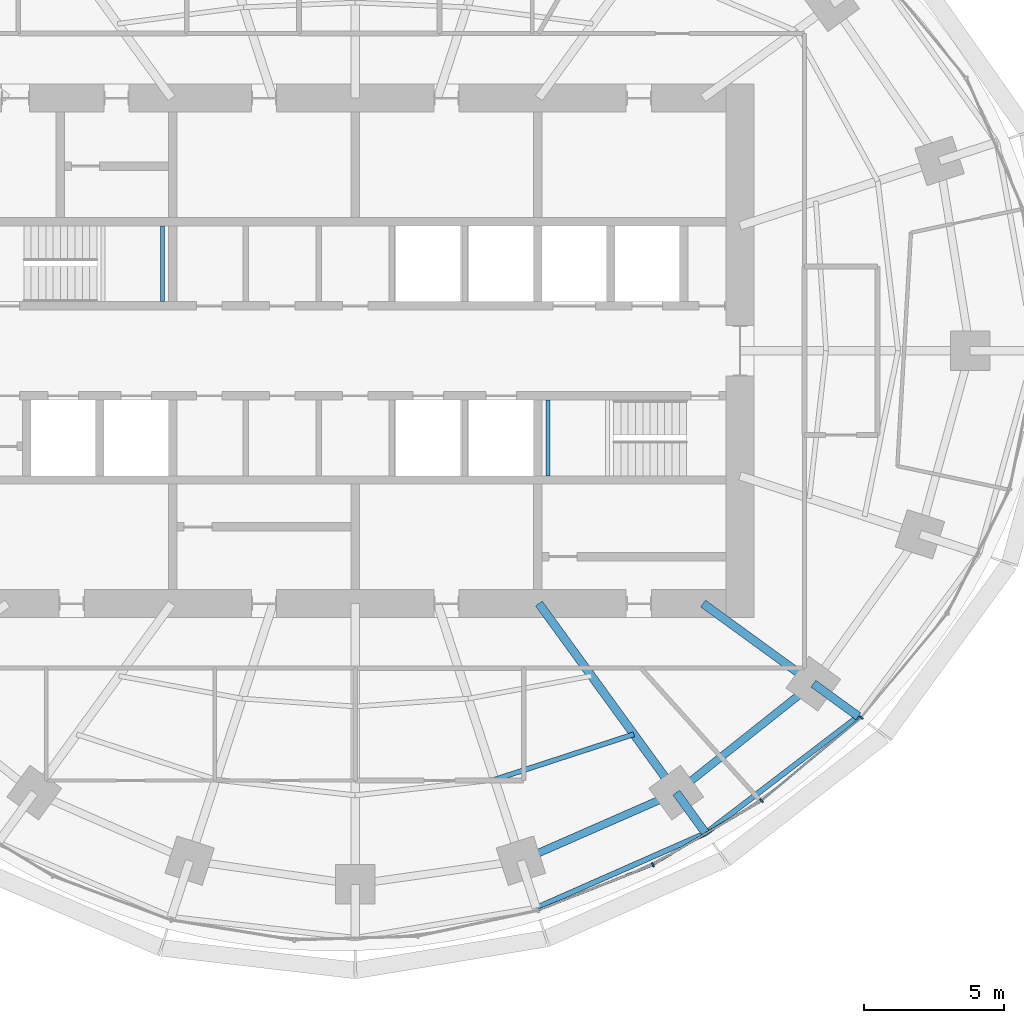
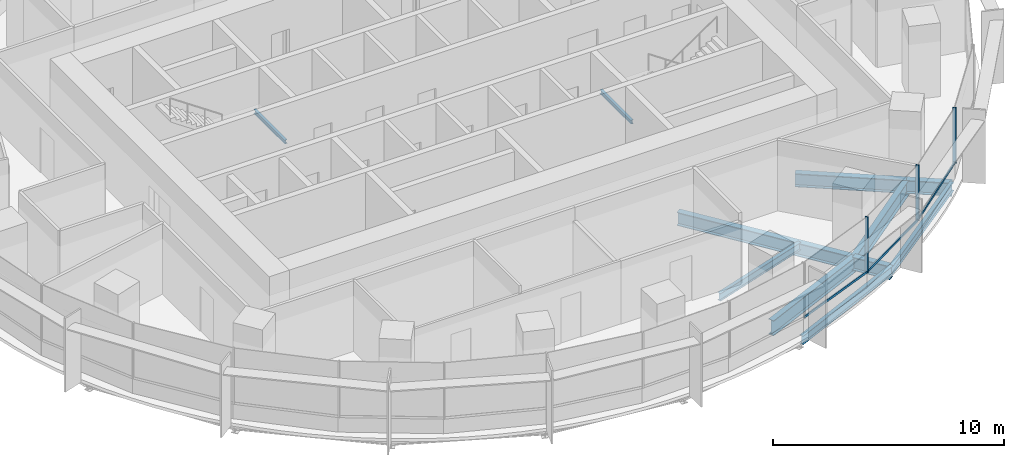
# One storey, part 5 of 14: 11 beams, 6 members, 2 elements without a shape of their own.
"""IFC4 building model written with IfcOpenShell, lengths in metres."""

from ifc_helpers import new_model, si_unit, direction, frame, origin, origin_2d, place, context, subcontext, project, spatial, rectangle, i_section, extrude, material, material_profile, profile_set, type_object, element, aggregate, save


model = new_model("IFC4")

# Units and contexts
model_context = context("Model", 3, precision=1e-05, world=origin(), true_north=direction((0.0, 1.0)))
body_context = subcontext(model_context, "Body", "Model", "MODEL_VIEW")
ifc_project = project(units=[si_unit("LENGTHUNIT", "METRE"), si_unit("AREAUNIT", "SQUARE_METRE"), si_unit("VOLUMEUNIT", "CUBIC_METRE"), si_unit("PLANEANGLEUNIT", "RADIAN"), si_unit("MASSUNIT", "GRAM", prefix="KILO")], contexts=[model_context])

# Site, building, storey
site_placement = place(None, origin())
site = spatial("IfcSite", under=ifc_project, at=site_placement, CompositionType="ELEMENT")
building_placement = place(site_placement, origin())
building = spatial("IfcBuilding", under=site, at=building_placement, Name="Marramba Exchange Tower", CompositionType="ELEMENT")
storey_placement = place(building_placement, frame((0.0, 0.0, 195.5)))
storey = spatial("IfcBuildingStorey", under=building, at=storey_placement, Name="L47", CompositionType="ELEMENT", Elevation=195.5)

# Beams
ifc_material_1 = material(Name="Steel AS/NZS 3679.2 grade 300", Category="steel")
ifc_material_profile_1 = material_profile(ifc_material_1, i_section(OverallWidth=0.300048828125, OverallDepth=0.699951171875, WebThickness=0.010009765625, FlangeThickness=0.031982421875, at=origin_2d()), Name="700WB173")
ifc_profile_set_1 = profile_set([ifc_material_profile_1], Name="Steel AS/NZS 3679.2 grade 300")
beam_type_1 = type_object("IfcBeamType", Name="Cantilever girder 700WB173", PredefinedType="BEAM", material=ifc_profile_set_1)
beam_1_placement = place(storey_placement, frame((11.430419921875, -15.732666015625, -0.510009765625), z_axis=(0.58783009415, -0.808984412959, 0.0), x_axis=(0.808984412959, 0.58783009415, 0.0)))
element("IfcBeam", 1, at=beam_1_placement, inside=storey, type_object=beam_type_1, Name="Cantilever girder L47 TC18", PredefinedType="BEAM", context=body_context, shape_type="SweptSolid", body=[
    extrude(i_section(OverallWidth=0.300048828125, OverallDepth=0.699951171875, WebThickness=0.010009765625, FlangeThickness=0.031982421875, at=origin_2d()), origin(), (0.0, 0.0, 1.0), 1.78515625),
])
beam_2_placement = place(storey_placement, frame((16.3154296875, -11.853759765625, -0.510009765625), z_axis=(0.808970801893, -0.587848825537, 0.0), x_axis=(0.587848825537, 0.808970801893, 0.0)))
element("IfcBeam", 2, at=beam_2_placement, inside=storey, type_object=beam_type_1, Name="Cantilever girder L47 TC19", PredefinedType="BEAM", context=body_context, shape_type="SweptSolid", body=[
    extrude(i_section(OverallWidth=0.300048828125, OverallDepth=0.699951171875, WebThickness=0.010009765625, FlangeThickness=0.031982421875, at=origin_2d()), origin(), (0.0, 0.0, 1.0), 1.978515625),
])
ifc_material_2 = material(Name="Steel AS/NZS 3679.1 grade 300", Category="steel")
ifc_material_profile_2 = material_profile(ifc_material_2, i_section(OverallWidth=0.177978515625, OverallDepth=0.406005859375, WebThickness=0.0078125, FlangeThickness=0.0126953125, FilletRadius=0.011474609375, at=origin_2d()), Name="410UB59.7")
ifc_profile_set_2 = profile_set([ifc_material_profile_2], Name="Steel AS/NZS 3679.1 grade 300")
beam_type_2 = type_object("IfcBeamType", Name="Floor joist 410UB59.7", PredefinedType="JOIST", material=ifc_profile_set_2)
beam_3_placement = place(storey_placement, frame((4.9619140625, -15.271484375, -0.363037109375), z_axis=(0.950764024931, 0.309915744834, 0.0), x_axis=(-0.309915744834, 0.950764024931, 0.0)))
element("IfcBeam", 3, at=beam_3_placement, inside=storey, type_object=beam_type_2, Name="Joist L47 bay 17 row 2", PredefinedType="JOIST", context=body_context, shape_type="SweptSolid", body=[
    extrude(i_section(OverallWidth=0.177978515625, OverallDepth=0.406005859375, WebThickness=0.0078125, FlangeThickness=0.0126953125, FilletRadius=0.011474609375, at=origin_2d()), origin(), (0.0, 0.0, 1.0), 5.2158203125),
])

# Curtain wall, members
ifc_material_3 = material(Name="Aluminium framing, bronze anodised", Category="aluminium")
curtain_wall_type = type_object("IfcCurtainWallType", Name="Office ribbon curtain wall", PredefinedType="USERDEFINED", material=ifc_material_3)
curtain_wall_1_placement = place(storey_placement, origin())
curtain_wall_1 = element("IfcCurtainWall", 4, at=curtain_wall_1_placement, inside=storey, type_object=curtain_wall_type, Name="Curtain wall CW4 L47 F26-F30", ObjectType="RIBBON CURTAIN WALL", PredefinedType="USERDEFINED")
ifc_material_4 = material(Name="Aluminium mullion, bronze anodised", Category="aluminium")
ifc_material_profile_3 = material_profile(ifc_material_4, rectangle(XDim=0.159912109375, YDim=0.06005859375, at=origin_2d()), Name="CW4 mullion 60x160")
ifc_profile_set_3 = profile_set([ifc_material_profile_3], Name="Aluminium mullion, bronze anodised")
member_type_1 = type_object("IfcMemberType", Name="Office ribbon curtain wall mullion", PredefinedType="MULLION", material=ifc_profile_set_3)
member_1_placement = place(storey_placement, frame((10.60009765625, -18.2998046875, 0.800048828125), z_axis=(0.0, 0.0, 1.0), x_axis=(-0.508010571686, 0.861350833897, 0.0)))
member_1 = element("IfcMember", 5, at=member_1_placement, type_object=member_type_1, Name="CW4 mullion 1", PredefinedType="MULLION", context=body_context, shape_type="SweptSolid", body=[
    extrude(rectangle(XDim=0.159912109375, YDim=0.06005859375, at=origin_2d()), origin(), (0.0, 0.0, 1.0), 2.93994140625),
])
member_2_placement = place(storey_placement, frame((14.461669921875, -16.0166015625, 0.800048828125), z_axis=(0.0, 0.0, 1.0), x_axis=(-0.639565270127, 0.768736798421, 0.0)))
member_2 = element("IfcMember", 6, at=member_2_placement, type_object=member_type_1, Name="CW4 mullion 1", PredefinedType="MULLION", context=body_context, shape_type="SweptSolid", body=[
    extrude(rectangle(XDim=0.159912109375, YDim=0.06005859375, at=origin_2d()), origin(), (0.0, 0.0, 1.0), 2.93994140625),
])
member_3_placement = place(storey_placement, frame((18.01611328125, -13.052490234375, 0.800048828125), z_axis=(0.0, 0.0, 1.0), x_axis=(-0.769912069289, 0.63814998673, 0.0)))
member_3 = element("IfcMember", 7, at=member_3_placement, type_object=member_type_1, Name="CW4 mullion 1", PredefinedType="MULLION", context=body_context, shape_type="SweptSolid", body=[
    extrude(rectangle(XDim=0.159912109375, YDim=0.06005859375, at=origin_2d()), origin(), (0.0, 0.0, 1.0), 2.93994140625),
])

# Curtain wall, member
curtain_wall_2_placement = place(storey_placement, origin())
curtain_wall_2 = element("IfcCurtainWall", 8, at=curtain_wall_2_placement, inside=storey, type_object=curtain_wall_type, Name="Curtain wall CW4 L47 F21-F25", ObjectType="RIBBON CURTAIN WALL", PredefinedType="USERDEFINED")
ifc_material_5 = material(Name="Aluminium transom, bronze anodised", Category="aluminium")
ifc_material_profile_4 = material_profile(ifc_material_5, rectangle(XDim=0.06005859375, YDim=0.1201171875, at=origin_2d()), Name="CW4 transom 60x120")
ifc_profile_set_4 = profile_set([ifc_material_profile_4], Name="Aluminium transom, bronze anodised")
member_type_2 = type_object("IfcMemberType", Name="Office ribbon curtain wall transom", PredefinedType="USERDEFINED", material=ifc_profile_set_4)
member_4_placement = place(storey_placement, frame((6.53271484375, -19.911376953125, 0.830078125), z_axis=(0.930068344217, 0.367386547229, 0.0), x_axis=(-0.367386547229, 0.930068344217, 0.0)))
member_4 = element("IfcMember", 9, at=member_4_placement, type_object=member_type_2, Name="CW4 sill transom", ObjectType="TRANSOM", PredefinedType="USERDEFINED", context=body_context, shape_type="SweptSolid", body=[
    extrude(rectangle(XDim=0.06005859375, YDim=0.1201171875, at=origin_2d()), origin(), (0.0, 0.0, 1.0), 4.345458984375),
])
aggregate(curtain_wall_2, [member_4])

# Member
member_5_placement = place(storey_placement, frame((10.6259765625, -18.28466796875, 0.830078125), z_axis=(0.861342387959, 0.508024891816, 0.0), x_axis=(-0.508024891816, 0.861342387959, 0.0)))
member_5 = element("IfcMember", 10, at=member_5_placement, type_object=member_type_2, Name="CW4 sill transom", ObjectType="TRANSOM", PredefinedType="USERDEFINED", context=body_context, shape_type="SweptSolid", body=[
    extrude(rectangle(XDim=0.06005859375, YDim=0.1201171875, at=origin_2d()), origin(), (0.0, 0.0, 1.0), 4.426513671875),
])

member_6_placement = place(storey_placement, frame((14.48486328125, -15.99755859375, 0.830078125), z_axis=(0.768707257272, 0.639600775967, 0.0), x_axis=(-0.639600775967, 0.768707257272, 0.0)))
member_6 = element("IfcMember", 11, at=member_6_placement, type_object=member_type_2, Name="CW4 sill transom", ObjectType="TRANSOM", PredefinedType="USERDEFINED", context=body_context, shape_type="SweptSolid", body=[
    extrude(rectangle(XDim=0.06005859375, YDim=0.1201171875, at=origin_2d()), origin(), (0.0, 0.0, 1.0), 4.568603515625),
])

aggregate(curtain_wall_1, [member_1, member_5, member_2, member_6, member_3])

# Beams
ifc_material_profile_5 = material_profile(ifc_material_1, i_section(OverallWidth=0.300048828125, OverallDepth=0.699951171875, WebThickness=0.010009765625, FlangeThickness=0.031982421875, at=origin_2d()), Name="700WB173")
ifc_profile_set_5 = profile_set([ifc_material_profile_5], Name="Steel AS/NZS 3679.2 grade 300")
beam_type_3 = type_object("IfcBeamType", Name="Radial girder 700WB173", PredefinedType="BEAM", material=ifc_profile_set_5)
beam_4_placement = place(storey_placement, frame((6.538818359375, -9.0, -0.510009765625), z_axis=(0.587787877172, -0.809015087282, 0.0), x_axis=(0.809015087282, 0.587787877172, 0.0)))
element("IfcBeam", 12, at=beam_4_placement, inside=storey, type_object=beam_type_3, Name="Radial girder L47 TC18", PredefinedType="BEAM", context=body_context, shape_type="SweptSolid", body=[
    extrude(i_section(OverallWidth=0.300048828125, OverallDepth=0.699951171875, WebThickness=0.010009765625, FlangeThickness=0.031982421875, at=origin_2d()), origin(), (0.0, 0.0, 1.0), 8.322021484375),
])
beam_5_placement = place(storey_placement, frame((12.387451171875, -9.0, -0.510009765625), z_axis=(0.809025189606, -0.58777397236, 0.0), x_axis=(0.58777397236, 0.809025189606, 0.0)))
element("IfcBeam", 13, at=beam_5_placement, inside=storey, type_object=beam_type_3, Name="Radial girder L47 TC19", PredefinedType="BEAM", context=body_context, shape_type="SweptSolid", body=[
    extrude(i_section(OverallWidth=0.300048828125, OverallDepth=0.699951171875, WebThickness=0.010009765625, FlangeThickness=0.031982421875, at=origin_2d()), origin(), (0.0, 0.0, 1.0), 4.855224609375),
])
ifc_material_profile_6 = material_profile(ifc_material_1, i_section(OverallWidth=0.27490234375, OverallDepth=0.800048828125, WebThickness=0.010009765625, FlangeThickness=0.02490234375, at=origin_2d()), Name="800WB168")
ifc_profile_set_6 = profile_set([ifc_material_profile_6], Name="Steel AS/NZS 3679.2 grade 300")
beam_type_4 = type_object("IfcBeamType", Name="Ring beam 800WB168", PredefinedType="SPANDREL", material=ifc_profile_set_6)
beam_6_placement = place(storey_placement, frame((5.899658203125, -18.156982421875, -0.56005859375), z_axis=(0.915876892158, 0.4014592363, 0.0), x_axis=(-0.4014592363, 0.915876892158, 0.0)))
element("IfcBeam", 14, at=beam_6_placement, inside=storey, type_object=beam_type_4, Name="Ring beam L47 TC17-TC18", PredefinedType="SPANDREL", context=body_context, shape_type="SweptSolid", body=[
    extrude(i_section(OverallWidth=0.27490234375, OverallDepth=0.800048828125, WebThickness=0.010009765625, FlangeThickness=0.02490234375, at=origin_2d()), origin(), (0.0, 0.0, 1.0), 6.038818359375),
])
beam_7_placement = place(storey_placement, frame((11.430419921875, -15.732666015625, -0.56005859375), z_axis=(0.783139438128, 0.621846138887, 0.0), x_axis=(-0.621846138887, 0.783139438128, 0.0)))
element("IfcBeam", 15, at=beam_7_placement, inside=storey, type_object=beam_type_4, Name="Ring beam L47 TC18-TC19", PredefinedType="SPANDREL", context=body_context, shape_type="SweptSolid", body=[
    extrude(i_section(OverallWidth=0.27490234375, OverallDepth=0.800048828125, WebThickness=0.010009765625, FlangeThickness=0.02490234375, at=origin_2d()), origin(), (0.0, 0.0, 1.0), 6.23779296875),
])
ifc_material_profile_7 = material_profile(ifc_material_2, i_section(OverallWidth=0.19091796875, OverallDepth=0.4599609375, WebThickness=0.010009765625, FlangeThickness=0.01611328125, FilletRadius=0.011474609375, at=origin_2d()), Name="460UB82.1")
ifc_profile_set_7 = profile_set([ifc_material_profile_7], Name="Steel AS/NZS 3679.1 grade 300")
beam_type_5 = type_object("IfcBeamType", Name="Slab edge beam 460UB82.1", PredefinedType="SPANDREL", material=ifc_profile_set_7)
beam_8_placement = place(storey_placement, frame((6.44580078125, -19.83837890625, -0.389892578125), z_axis=(0.914940719579, 0.403588255102, 0.0), x_axis=(-0.403588255102, 0.914940719579, 0.0)))
element("IfcBeam", 16, at=beam_8_placement, inside=storey, type_object=beam_type_5, Name="Slab edge beam L47 TC17-TC18", PredefinedType="SPANDREL", context=body_context, shape_type="SweptSolid", body=[
    extrude(i_section(OverallWidth=0.19091796875, OverallDepth=0.4599609375, WebThickness=0.010009765625, FlangeThickness=0.01611328125, FilletRadius=0.011474609375, at=origin_2d()), origin(), (0.0, 0.0, 1.0), 6.594970703125),
])
beam_9_placement = place(storey_placement, frame((12.479736328125, -17.1767578125, -0.389892578125), z_axis=(0.794163423189, 0.607704251481, 0.0), x_axis=(-0.607704251481, 0.794163423189, 0.0)))
element("IfcBeam", 17, at=beam_9_placement, inside=storey, type_object=beam_type_5, Name="Slab edge beam L47 TC18-TC19", PredefinedType="SPANDREL", context=body_context, shape_type="SweptSolid", body=[
    extrude(i_section(OverallWidth=0.19091796875, OverallDepth=0.4599609375, WebThickness=0.010009765625, FlangeThickness=0.01611328125, FilletRadius=0.011474609375, at=origin_2d()), origin(), (0.0, 0.0, 1.0), 6.84521484375),
])
ifc_material_profile_8 = material_profile(ifc_material_2, i_section(OverallWidth=0.133056640625, OverallDepth=0.202880859375, WebThickness=0.005859375, FlangeThickness=0.0078125, FilletRadius=0.0087890625, at=origin_2d()), Name="200UB25.4")
ifc_profile_set_8 = profile_set([ifc_material_profile_8], Name="Steel AS/NZS 3679.1 grade 300")
beam_type_6 = type_object("IfcBeamType", Name="Stair landing beam 200UB25.4", PredefinedType="BEAM", material=ifc_profile_set_8)
for number, where, z_axis, x_axis, name in (
    (18, (-6.866455078125, 1.75, 1.6484375), (0.0, 1.0, 0.0), (-1.0, 0.0, 0.0), "Stair landing beam SLB1 ST1 L47 2"),
    (19, (6.866455078125, -4.449951171875, 1.6484375), (0.0, 1.0, 0.0), (-1.0, 0.0, 0.0), "Stair landing beam SLB1 ST2 L47 1"),
):
    element("IfcBeam", number, at=place(storey_placement, frame(where, z_axis=z_axis, x_axis=x_axis)), inside=storey, type_object=beam_type_6, Name=name, PredefinedType="BEAM", context=body_context, shape_type="SweptSolid", body=[
        extrude(i_section(OverallWidth=0.133056640625, OverallDepth=0.202880859375, WebThickness=0.005859375, FlangeThickness=0.0078125, FilletRadius=0.0087890625, at=origin_2d()), origin(), (0.0, 0.0, 1.0), 2.699951171875),
    ])

save(model, "model.ifc")
